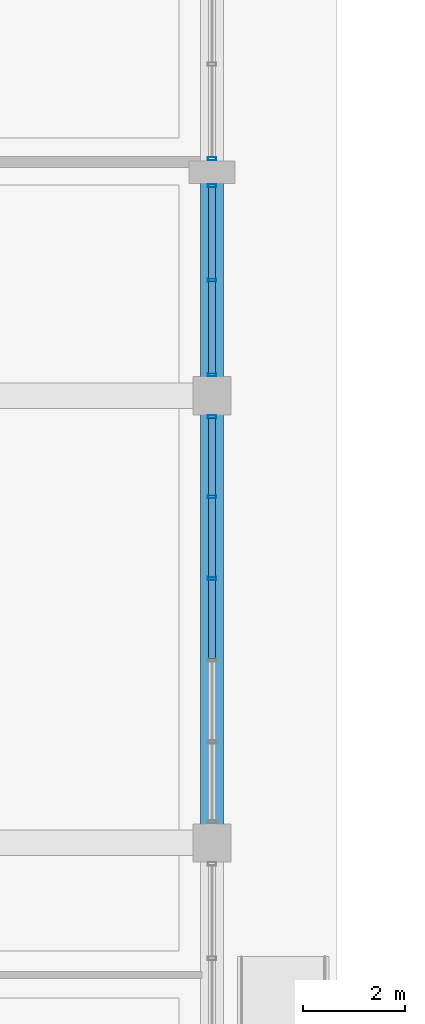
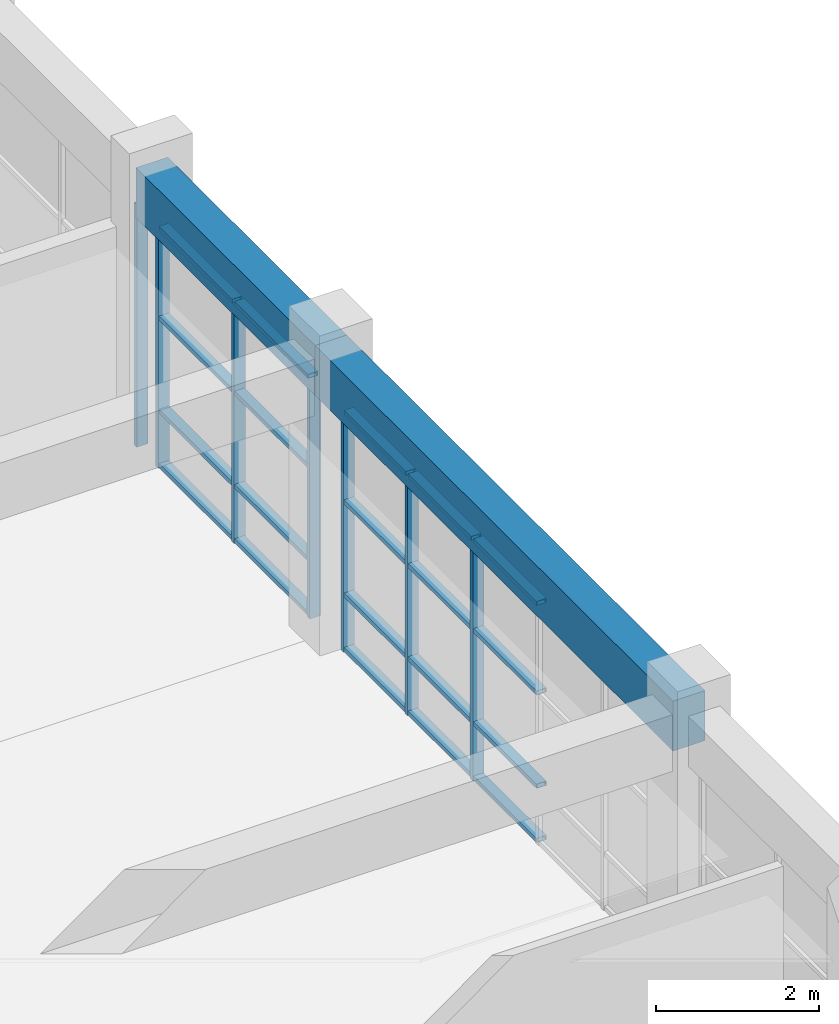
# One storey, part 4 of 47: 27 members, 2 beams, 3 elements without a shape of their own.
"""IFC4 building model written with IfcOpenShell, lengths in metres."""

from ifc_helpers import new_model, si_unit, direction, frame, origin, origin_2d, place, context, subcontext, project, spatial, rectangle, hollow_rectangle, extrude, material, layer, layer_set, material_profile, profile_set, type_object, element, aggregate, save


model = new_model("IFC4")

# Units and contexts
model_context = context("Model", 3, precision=1e-05, world=origin(), true_north=direction((0.0, 1.0)))
body_context = subcontext(model_context, "Body", "Model", "MODEL_VIEW")
ifc_project = project(units=[si_unit("LENGTHUNIT", "METRE"), si_unit("AREAUNIT", "SQUARE_METRE"), si_unit("VOLUMEUNIT", "CUBIC_METRE"), si_unit("PLANEANGLEUNIT", "RADIAN"), si_unit("MASSUNIT", "GRAM", prefix="KILO")], contexts=[model_context])

# Site, building, storey
site_placement = place(None, origin())
site = spatial("IfcSite", under=ifc_project, at=site_placement, CompositionType="ELEMENT")
building_placement = place(site_placement, origin())
building = spatial("IfcBuilding", under=site, at=building_placement, Name="Ventoquebrada Cableway Terminal", CompositionType="ELEMENT")
storey_placement = place(building_placement, origin())
storey = spatial("IfcBuildingStorey", under=building, at=storey_placement, Name="L00", CompositionType="ELEMENT", Elevation=0.0)

# Curtain wall, members
ifc_material_1 = material(Name="Anodized thermally-broken aluminium", Category="aluminium")
ifc_layer_1 = layer(ifc_material_1, 0.159912109375)
ifc_layer_set_1 = layer_set([ifc_layer_1], Name="Anodized thermally-broken aluminium")
curtain_wall_type_1 = type_object("IfcCurtainWallType", Name="CW-T02", PredefinedType="USERDEFINED", material=ifc_layer_set_1)
curtain_wall_1_placement = place(storey_placement, origin())
curtain_wall_1 = element("IfcCurtainWall", 1, at=curtain_wall_1_placement, inside=storey, type_object=curtain_wall_type_1, Name="Unitised glazed curtain wall CW-003", ObjectType="UNITISED CURTAIN WALL", PredefinedType="USERDEFINED")
ifc_material_profile_1 = material_profile(ifc_material_1, hollow_rectangle(XDim=0.06494140625, YDim=0.159912109375, WallThickness=0.00390625, at=origin_2d()), Name="CW-MUL-65X160")
ifc_profile_set_1 = profile_set([ifc_material_profile_1], Name="Anodized thermally-broken aluminium")
member_type_1 = type_object("IfcMemberType", Name="CWM-01", PredefinedType="MULLION", material=ifc_profile_set_1)
member_1_placement = place(storey_placement, frame((37.0, 25.803955078125, -0.008056640625), z_axis=(0.0, 0.0, 1.0), x_axis=(0.0, 1.0, 0.0)))
member_1 = element("IfcMember", 2, at=member_1_placement, type_object=member_type_1, Name="Curtain wall mullion FML-0010", PredefinedType="MULLION", context=body_context, shape_type="SweptSolid", body=[
    extrude(hollow_rectangle(XDim=0.06494140625, YDim=0.159912109375, WallThickness=0.00390625, at=origin_2d()), origin(), (0.0, 0.0, 1.0), 3.637939453125),
])
member_2_placement = place(storey_placement, frame((37.0, 27.412109375, -0.008056640625), z_axis=(0.0, 0.0, 1.0), x_axis=(0.0, 1.0, 0.0)))
member_2 = element("IfcMember", 3, at=member_2_placement, type_object=member_type_1, Name="Curtain wall mullion FML-0011", PredefinedType="MULLION", context=body_context, shape_type="SweptSolid", body=[
    extrude(hollow_rectangle(XDim=0.06494140625, YDim=0.159912109375, WallThickness=0.00390625, at=origin_2d()), origin(), (0.0, 0.0, 1.0), 3.637939453125),
])
member_3_placement = place(storey_placement, frame((37.0, 28.985107421875, -0.008056640625), z_axis=(0.0, 0.0, 1.0), x_axis=(0.0, 1.0, 0.0)))
member_3 = element("IfcMember", 4, at=member_3_placement, type_object=member_type_1, Name="Curtain wall mullion FML-0012", PredefinedType="MULLION", context=body_context, shape_type="SweptSolid", body=[
    extrude(hollow_rectangle(XDim=0.06494140625, YDim=0.159912109375, WallThickness=0.00390625, at=origin_2d()), origin(), (0.0, 0.0, 1.0), 3.637939453125),
])

ifc_layer_2 = layer(ifc_material_1, 0.159912109375)
ifc_layer_set_2 = layer_set([ifc_layer_2], Name="Anodized thermally-broken aluminium")
curtain_wall_type_2 = type_object("IfcCurtainWallType", Name="CW-T01", PredefinedType="USERDEFINED", material=ifc_layer_set_2)
curtain_wall_2_placement = place(storey_placement, origin())
curtain_wall_2 = element("IfcCurtainWall", 5, at=curtain_wall_2_placement, inside=storey, type_object=curtain_wall_type_2, Name="Unitised glazed curtain wall CW-004", ObjectType="UNITISED CURTAIN WALL", PredefinedType="USERDEFINED")
member_4_placement = place(storey_placement, frame((37.0, 29.81494140625, -0.008056640625), z_axis=(0.0, 0.0, 1.0), x_axis=(0.0, 1.0, 0.0)))
member_4 = element("IfcMember", 6, at=member_4_placement, type_object=member_type_1, Name="Curtain wall mullion FML-0013", PredefinedType="MULLION", context=body_context, shape_type="SweptSolid", body=[
    extrude(hollow_rectangle(XDim=0.06494140625, YDim=0.159912109375, WallThickness=0.00390625, at=origin_2d()), origin(), (0.0, 0.0, 1.0), 3.637939453125),
])
member_5_placement = place(storey_placement, frame((37.0, 31.675048828125, -0.008056640625), z_axis=(0.0, 0.0, 1.0), x_axis=(0.0, 1.0, 0.0)))
member_5 = element("IfcMember", 7, at=member_5_placement, type_object=member_type_1, Name="Curtain wall mullion FML-0014", PredefinedType="MULLION", context=body_context, shape_type="SweptSolid", body=[
    extrude(hollow_rectangle(XDim=0.06494140625, YDim=0.159912109375, WallThickness=0.00390625, at=origin_2d()), origin(), (0.0, 0.0, 1.0), 3.637939453125),
])
member_6_placement = place(storey_placement, frame((37.0, 33.534912109375, -0.008056640625), z_axis=(0.0, 0.0, 1.0), x_axis=(0.0, 1.0, 0.0)))
member_6 = element("IfcMember", 8, at=member_6_placement, type_object=member_type_1, Name="Curtain wall mullion FML-0015", PredefinedType="MULLION", context=body_context, shape_type="SweptSolid", body=[
    extrude(hollow_rectangle(XDim=0.06494140625, YDim=0.159912109375, WallThickness=0.00390625, at=origin_2d()), origin(), (0.0, 0.0, 1.0), 3.637939453125),
])

# Curtain wall, member
curtain_wall_3_placement = place(storey_placement, origin())
curtain_wall_3 = element("IfcCurtainWall", 9, at=curtain_wall_3_placement, inside=storey, type_object=curtain_wall_type_2, Name="Unitised glazed curtain wall CW-005", ObjectType="UNITISED CURTAIN WALL", PredefinedType="USERDEFINED")
member_7_placement = place(storey_placement, frame((37.0, 34.06494140625, -0.008056640625), z_axis=(0.0, 0.0, 1.0), x_axis=(0.0, 1.0, 0.0)))
member_7 = element("IfcMember", 10, at=member_7_placement, type_object=member_type_1, Name="Curtain wall mullion FML-0016", PredefinedType="MULLION", context=body_context, shape_type="SweptSolid", body=[
    extrude(hollow_rectangle(XDim=0.06494140625, YDim=0.159912109375, WallThickness=0.00390625, at=origin_2d()), origin(), (0.0, 0.0, 1.0), 3.637939453125),
])
aggregate(curtain_wall_3, [member_7])

# Member
ifc_material_profile_2 = material_profile(ifc_material_1, hollow_rectangle(XDim=0.06494140625, YDim=0.139892578125, WallThickness=0.00390625, at=origin_2d()), Name="CW-TRN-65X140")
ifc_profile_set_2 = profile_set([ifc_material_profile_2], Name="Anodized thermally-broken aluminium")
member_type_2 = type_object("IfcMemberType", Name="CWT-01", PredefinedType="USERDEFINED", material=ifc_profile_set_2)
member_8_placement = place(storey_placement, frame((37.0, 24.22412109375, 0.034912109375), z_axis=(0.0, 1.0, 0.0), x_axis=(0.0, 0.0, 1.0)))
member_8 = element("IfcMember", 11, at=member_8_placement, type_object=member_type_2, Name="Curtain wall transom FTR-0025", ObjectType="TRANSOM", PredefinedType="USERDEFINED", context=body_context, shape_type="SweptSolid", body=[
    extrude(hollow_rectangle(XDim=0.06494140625, YDim=0.139892578125, WallThickness=0.00390625, at=origin_2d()), origin(), (0.0, 0.0, 1.0), 1.5517578125),
])

member_9_placement = place(storey_placement, frame((37.0, 24.22412109375, 0.85009765625), z_axis=(0.0, 1.0, 0.0), x_axis=(0.0, 0.0, 1.0)))
member_9 = element("IfcMember", 12, at=member_9_placement, type_object=member_type_2, Name="Curtain wall transom FTR-0026", ObjectType="TRANSOM", PredefinedType="USERDEFINED", context=body_context, shape_type="SweptSolid", body=[
    extrude(hollow_rectangle(XDim=0.06494140625, YDim=0.139892578125, WallThickness=0.00390625, at=origin_2d()), origin(), (0.0, 0.0, 1.0), 1.5517578125),
])

member_10_placement = place(storey_placement, frame((37.0, 24.22412109375, 2.248046875), z_axis=(0.0, 1.0, 0.0), x_axis=(0.0, 0.0, 1.0)))
member_10 = element("IfcMember", 13, at=member_10_placement, type_object=member_type_2, Name="Curtain wall transom FTR-0027", ObjectType="TRANSOM", PredefinedType="USERDEFINED", context=body_context, shape_type="SweptSolid", body=[
    extrude(hollow_rectangle(XDim=0.06494140625, YDim=0.139892578125, WallThickness=0.00390625, at=origin_2d()), origin(), (0.0, 0.0, 1.0), 1.5517578125),
])

member_11_placement = place(storey_placement, frame((37.0, 24.22412109375, 3.590087890625), z_axis=(0.0, 1.0, 0.0), x_axis=(0.0, 0.0, 1.0)))
member_11 = element("IfcMember", 14, at=member_11_placement, type_object=member_type_2, Name="Curtain wall transom FTR-0028", ObjectType="TRANSOM", PredefinedType="USERDEFINED", context=body_context, shape_type="SweptSolid", body=[
    extrude(hollow_rectangle(XDim=0.06494140625, YDim=0.139892578125, WallThickness=0.00390625, at=origin_2d()), origin(), (0.0, 0.0, 1.0), 1.5517578125),
])

member_12_placement = place(storey_placement, frame((37.0, 25.8310546875, 0.034912109375), z_axis=(0.0, 1.0, 0.0), x_axis=(0.0, 0.0, 1.0)))
member_12 = element("IfcMember", 15, at=member_12_placement, type_object=member_type_2, Name="Curtain wall transom FTR-0029", ObjectType="TRANSOM", PredefinedType="USERDEFINED", context=body_context, shape_type="SweptSolid", body=[
    extrude(hollow_rectangle(XDim=0.06494140625, YDim=0.139892578125, WallThickness=0.00390625, at=origin_2d()), origin(), (0.0, 0.0, 1.0), 1.552978515625),
])

member_13_placement = place(storey_placement, frame((37.0, 25.8310546875, 0.85009765625), z_axis=(0.0, 1.0, 0.0), x_axis=(0.0, 0.0, 1.0)))
member_13 = element("IfcMember", 16, at=member_13_placement, type_object=member_type_2, Name="Curtain wall transom FTR-0030", ObjectType="TRANSOM", PredefinedType="USERDEFINED", context=body_context, shape_type="SweptSolid", body=[
    extrude(hollow_rectangle(XDim=0.06494140625, YDim=0.139892578125, WallThickness=0.00390625, at=origin_2d()), origin(), (0.0, 0.0, 1.0), 1.552978515625),
])

member_14_placement = place(storey_placement, frame((37.0, 25.8310546875, 2.248046875), z_axis=(0.0, 1.0, 0.0), x_axis=(0.0, 0.0, 1.0)))
member_14 = element("IfcMember", 17, at=member_14_placement, type_object=member_type_2, Name="Curtain wall transom FTR-0031", ObjectType="TRANSOM", PredefinedType="USERDEFINED", context=body_context, shape_type="SweptSolid", body=[
    extrude(hollow_rectangle(XDim=0.06494140625, YDim=0.139892578125, WallThickness=0.00390625, at=origin_2d()), origin(), (0.0, 0.0, 1.0), 1.552978515625),
])

member_15_placement = place(storey_placement, frame((37.0, 25.8310546875, 3.590087890625), z_axis=(0.0, 1.0, 0.0), x_axis=(0.0, 0.0, 1.0)))
member_15 = element("IfcMember", 18, at=member_15_placement, type_object=member_type_2, Name="Curtain wall transom FTR-0032", ObjectType="TRANSOM", PredefinedType="USERDEFINED", context=body_context, shape_type="SweptSolid", body=[
    extrude(hollow_rectangle(XDim=0.06494140625, YDim=0.139892578125, WallThickness=0.00390625, at=origin_2d()), origin(), (0.0, 0.0, 1.0), 1.552978515625),
])

member_16_placement = place(storey_placement, frame((37.0, 27.43896484375, 0.034912109375), z_axis=(0.0, 1.0, 0.0), x_axis=(0.0, 0.0, 1.0)))
member_16 = element("IfcMember", 19, at=member_16_placement, type_object=member_type_2, Name="Curtain wall transom FTR-0033", ObjectType="TRANSOM", PredefinedType="USERDEFINED", context=body_context, shape_type="SweptSolid", body=[
    extrude(hollow_rectangle(XDim=0.06494140625, YDim=0.139892578125, WallThickness=0.00390625, at=origin_2d()), origin(), (0.0, 0.0, 1.0), 1.51806640625),
])

member_17_placement = place(storey_placement, frame((37.0, 27.43896484375, 0.85009765625), z_axis=(0.0, 1.0, 0.0), x_axis=(0.0, 0.0, 1.0)))
member_17 = element("IfcMember", 20, at=member_17_placement, type_object=member_type_2, Name="Curtain wall transom FTR-0034", ObjectType="TRANSOM", PredefinedType="USERDEFINED", context=body_context, shape_type="SweptSolid", body=[
    extrude(hollow_rectangle(XDim=0.06494140625, YDim=0.139892578125, WallThickness=0.00390625, at=origin_2d()), origin(), (0.0, 0.0, 1.0), 1.51806640625),
])

member_18_placement = place(storey_placement, frame((37.0, 27.43896484375, 2.248046875), z_axis=(0.0, 1.0, 0.0), x_axis=(0.0, 0.0, 1.0)))
member_18 = element("IfcMember", 21, at=member_18_placement, type_object=member_type_2, Name="Curtain wall transom FTR-0035", ObjectType="TRANSOM", PredefinedType="USERDEFINED", context=body_context, shape_type="SweptSolid", body=[
    extrude(hollow_rectangle(XDim=0.06494140625, YDim=0.139892578125, WallThickness=0.00390625, at=origin_2d()), origin(), (0.0, 0.0, 1.0), 1.51806640625),
])

member_19_placement = place(storey_placement, frame((37.0, 27.43896484375, 3.590087890625), z_axis=(0.0, 1.0, 0.0), x_axis=(0.0, 0.0, 1.0)))
member_19 = element("IfcMember", 22, at=member_19_placement, type_object=member_type_2, Name="Curtain wall transom FTR-0036", ObjectType="TRANSOM", PredefinedType="USERDEFINED", context=body_context, shape_type="SweptSolid", body=[
    extrude(hollow_rectangle(XDim=0.06494140625, YDim=0.139892578125, WallThickness=0.00390625, at=origin_2d()), origin(), (0.0, 0.0, 1.0), 1.51806640625),
])

aggregate(curtain_wall_1, [member_1, member_2, member_3, member_8, member_9, member_10, member_11, member_12, member_13, member_14, member_15, member_16, member_17, member_18, member_19])

member_20_placement = place(storey_placement, frame((37.0, 29.843017578125, 0.034912109375), z_axis=(0.0, 1.0, 0.0), x_axis=(0.0, 0.0, 1.0)))
member_20 = element("IfcMember", 23, at=member_20_placement, type_object=member_type_2, Name="Curtain wall transom FTR-0037", ObjectType="TRANSOM", PredefinedType="USERDEFINED", context=body_context, shape_type="SweptSolid", body=[
    extrude(hollow_rectangle(XDim=0.06494140625, YDim=0.139892578125, WallThickness=0.00390625, at=origin_2d()), origin(), (0.0, 0.0, 1.0), 1.804931640625),
])

member_21_placement = place(storey_placement, frame((37.0, 29.843017578125, 0.85009765625), z_axis=(0.0, 1.0, 0.0), x_axis=(0.0, 0.0, 1.0)))
member_21 = element("IfcMember", 24, at=member_21_placement, type_object=member_type_2, Name="Curtain wall transom FTR-0038", ObjectType="TRANSOM", PredefinedType="USERDEFINED", context=body_context, shape_type="SweptSolid", body=[
    extrude(hollow_rectangle(XDim=0.06494140625, YDim=0.139892578125, WallThickness=0.00390625, at=origin_2d()), origin(), (0.0, 0.0, 1.0), 1.804931640625),
])

member_22_placement = place(storey_placement, frame((37.0, 29.843017578125, 2.248046875), z_axis=(0.0, 1.0, 0.0), x_axis=(0.0, 0.0, 1.0)))
member_22 = element("IfcMember", 25, at=member_22_placement, type_object=member_type_2, Name="Curtain wall transom FTR-0039", ObjectType="TRANSOM", PredefinedType="USERDEFINED", context=body_context, shape_type="SweptSolid", body=[
    extrude(hollow_rectangle(XDim=0.06494140625, YDim=0.139892578125, WallThickness=0.00390625, at=origin_2d()), origin(), (0.0, 0.0, 1.0), 1.804931640625),
])

member_23_placement = place(storey_placement, frame((37.0, 29.843017578125, 3.590087890625), z_axis=(0.0, 1.0, 0.0), x_axis=(0.0, 0.0, 1.0)))
member_23 = element("IfcMember", 26, at=member_23_placement, type_object=member_type_2, Name="Curtain wall transom FTR-0040", ObjectType="TRANSOM", PredefinedType="USERDEFINED", context=body_context, shape_type="SweptSolid", body=[
    extrude(hollow_rectangle(XDim=0.06494140625, YDim=0.139892578125, WallThickness=0.00390625, at=origin_2d()), origin(), (0.0, 0.0, 1.0), 1.804931640625),
])

member_24_placement = place(storey_placement, frame((37.0, 31.702880859375, 0.034912109375), z_axis=(0.0, 1.0, 0.0), x_axis=(0.0, 0.0, 1.0)))
member_24 = element("IfcMember", 27, at=member_24_placement, type_object=member_type_2, Name="Curtain wall transom FTR-0041", ObjectType="TRANSOM", PredefinedType="USERDEFINED", context=body_context, shape_type="SweptSolid", body=[
    extrude(hollow_rectangle(XDim=0.06494140625, YDim=0.139892578125, WallThickness=0.00390625, at=origin_2d()), origin(), (0.0, 0.0, 1.0), 1.80517578125),
])

member_25_placement = place(storey_placement, frame((37.0, 31.702880859375, 0.85009765625), z_axis=(0.0, 1.0, 0.0), x_axis=(0.0, 0.0, 1.0)))
member_25 = element("IfcMember", 28, at=member_25_placement, type_object=member_type_2, Name="Curtain wall transom FTR-0042", ObjectType="TRANSOM", PredefinedType="USERDEFINED", context=body_context, shape_type="SweptSolid", body=[
    extrude(hollow_rectangle(XDim=0.06494140625, YDim=0.139892578125, WallThickness=0.00390625, at=origin_2d()), origin(), (0.0, 0.0, 1.0), 1.80517578125),
])

member_26_placement = place(storey_placement, frame((37.0, 31.702880859375, 2.248046875), z_axis=(0.0, 1.0, 0.0), x_axis=(0.0, 0.0, 1.0)))
member_26 = element("IfcMember", 29, at=member_26_placement, type_object=member_type_2, Name="Curtain wall transom FTR-0043", ObjectType="TRANSOM", PredefinedType="USERDEFINED", context=body_context, shape_type="SweptSolid", body=[
    extrude(hollow_rectangle(XDim=0.06494140625, YDim=0.139892578125, WallThickness=0.00390625, at=origin_2d()), origin(), (0.0, 0.0, 1.0), 1.80517578125),
])

member_27_placement = place(storey_placement, frame((37.0, 31.702880859375, 3.590087890625), z_axis=(0.0, 1.0, 0.0), x_axis=(0.0, 0.0, 1.0)))
member_27 = element("IfcMember", 30, at=member_27_placement, type_object=member_type_2, Name="Curtain wall transom FTR-0044", ObjectType="TRANSOM", PredefinedType="USERDEFINED", context=body_context, shape_type="SweptSolid", body=[
    extrude(hollow_rectangle(XDim=0.06494140625, YDim=0.139892578125, WallThickness=0.00390625, at=origin_2d()), origin(), (0.0, 0.0, 1.0), 1.80517578125),
])

aggregate(curtain_wall_2, [member_4, member_5, member_6, member_20, member_21, member_22, member_23, member_24, member_25, member_26, member_27])

# Beams
ifc_material_2 = material(Name="Concrete C40/50", Category="concrete")
ifc_material_profile_3 = material_profile(ifc_material_2, rectangle(XDim=0.449951171875, YDim=0.75, at=origin_2d()), Name="RC-BM-450X750")
ifc_profile_set_3 = profile_set([ifc_material_profile_3], Name="Concrete C40/50")
beam_type = type_object("IfcBeamType", Name="SP-RC02", PredefinedType="SPANDREL", material=ifc_profile_set_3)
beam_1_placement = place(storey_placement, frame((37.0, 20.60009765625, 4.0048828125), z_axis=(0.0, 1.0, 0.0), x_axis=(-1.0, 0.0, 0.0)))
element("IfcBeam", 31, at=beam_1_placement, inside=storey, type_object=beam_type, Name="Perimeter spandrel beam FBM-0139", PredefinedType="SPANDREL", context=body_context, shape_type="SweptSolid", body=[
    extrude(rectangle(XDim=0.449951171875, YDim=0.75, at=origin_2d()), origin(), (0.0, 0.0, 1.0), 8.7998046875),
])
beam_2_placement = place(storey_placement, frame((37.0, 29.39990234375, 4.0048828125), z_axis=(0.0, 1.0, 0.0), x_axis=(-1.0, 0.0, 0.0)))
element("IfcBeam", 32, at=beam_2_placement, inside=storey, type_object=beam_type, Name="Perimeter spandrel beam FBM-0140", PredefinedType="SPANDREL", context=body_context, shape_type="SweptSolid", body=[
    extrude(rectangle(XDim=0.449951171875, YDim=0.75, at=origin_2d()), origin(), (0.0, 0.0, 1.0), 4.400146484375),
])

save(model, "model.ifc")
